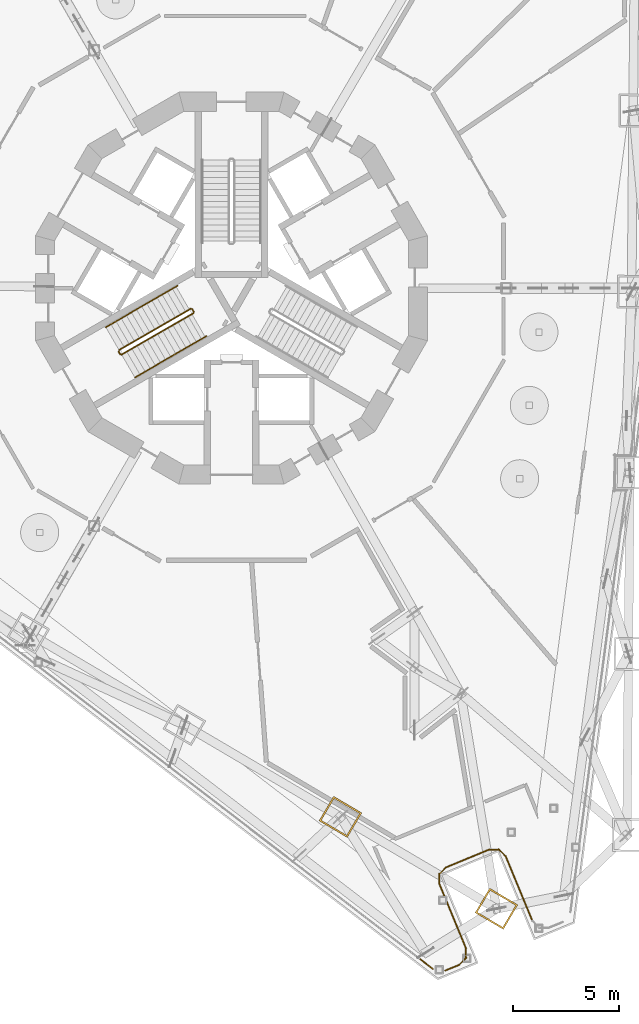
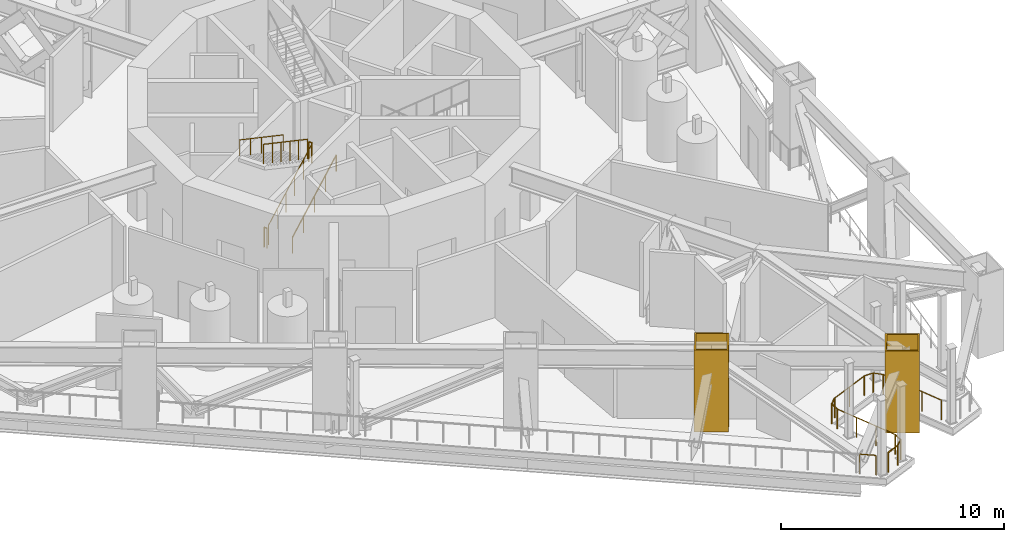
# One storey, part 17 of 23: 19 railings, 2 coverings.
"""IFC4 building model written with IfcOpenShell, lengths in metres."""

from ifc_helpers import new_model, si_unit, direction, frame, origin, origin_2d, place, context, subcontext, project, spatial, polyline, circle, outline, extrude, material, layer, layer_set, type_object, element, save


model = new_model("IFC4")

# Units and contexts
model_context = context("Model", 3, precision=1e-05, world=origin(), true_north=direction((0.0, 1.0)))
body_context = subcontext(model_context, "Body", "Model", "MODEL_VIEW")
ifc_project = project(units=[si_unit("LENGTHUNIT", "METRE"), si_unit("AREAUNIT", "SQUARE_METRE"), si_unit("VOLUMEUNIT", "CUBIC_METRE"), si_unit("PLANEANGLEUNIT", "RADIAN"), si_unit("MASSUNIT", "GRAM", prefix="KILO")], contexts=[model_context])

# Site, building, storey
site_placement = place(None, origin())
site = spatial("IfcSite", under=ifc_project, at=site_placement, CompositionType="ELEMENT")
building_placement = place(site_placement, origin())
building = spatial("IfcBuilding", under=site, at=building_placement, Name="Trine Commons Tower", CompositionType="ELEMENT")
storey_placement = place(building_placement, frame((0.0, 0.0, 156.60009765625)))
storey = spatial("IfcBuildingStorey", under=building, at=storey_placement, Name="L40", CompositionType="ELEMENT", Elevation=156.60009765625)

# Coverings
ifc_material_1 = material(Name="Limestone, honed", Category="masonry")
ifc_layer = layer(ifc_material_1, 0.074951171875)
ifc_layer_set = layer_set([ifc_layer], Name="Limestone, honed")
covering_type = type_object("IfcCoveringType", Name="Limestone column cladding 75", PredefinedType="CLADDING", material=ifc_layer_set)
covering_1_placement = place(storey_placement, origin())
element("IfcCovering", 1, at=covering_1_placement, inside=storey, type_object=covering_type, Name="Limestone pier cladding 5-01", PredefinedType="CLADDING", context=body_context, shape_type="SweptSolid", body=[
    extrude(outline(polyline([(92.21728515625, 34.10791015625), (91.531982421875, 32.94482421875), (92.86767578125, 32.158203125), (93.552978515625, 33.3212890625), (92.21728515625, 34.10791015625)]), holes=[polyline([(92.243896484375, 34.00537109375), (91.634765625, 32.971435546875), (92.841064453125, 32.2607421875), (93.4501953125, 33.294921875), (92.243896484375, 34.00537109375)])]), origin(), (0.0, 0.0, 1.0), 4.5),
])
covering_2_placement = place(storey_placement, origin())
element("IfcCovering", 2, at=covering_2_placement, inside=storey, type_object=covering_type, Name="Limestone pier cladding 5-02", PredefinedType="CLADDING", context=body_context, shape_type="SweptSolid", body=[
    extrude(outline(polyline([(84.83251953125, 38.4580078125), (84.1474609375, 37.294921875), (85.48291015625, 36.50830078125), (86.168212890625, 37.67138671875), (84.83251953125, 38.4580078125)]), holes=[polyline([(84.859130859375, 38.35546875), (84.25, 37.3212890625), (85.456298828125, 36.61083984375), (86.0654296875, 37.644775390625), (84.859130859375, 38.35546875)])]), origin(), (0.0, 0.0, 1.0), 4.5),
])

# Railings
ifc_material_2 = material(Name="Stainless steel rail and posts", Category="steel")
railing_type_1 = type_object("IfcRailingType", Name="Slot edge guard 1100", PredefinedType="GUARDRAIL", material=ifc_material_2)
railing_1_placement = place(storey_placement, frame((94.243896484375, 32.55419921875, 0.0)))
element("IfcRailing", 3, at=railing_1_placement, inside=storey, type_object=railing_type_1, Name="Guard L40-54", PredefinedType="GUARDRAIL", context=body_context, shape_type="SweptSolid", body=[
    extrude(circle(Radius=0.02392578125, at=origin_2d()), frame((0.0, 0.0, 1.076171875), z_axis=(-0.382615762756, 0.923907559278, 0.0), x_axis=(-0.923907559278, -0.382615762756, 0.0)), (0.0, 0.0, 1.0), 3.32177734375),
    extrude(circle(Radius=0.02099609375, at=origin_2d()), origin(), (0.0, 0.0, 1.0), 1.052001953125),
    extrude(circle(Radius=0.02099609375, at=origin_2d()), frame((-0.423583984375, 1.02294921875, 0.0)), (0.0, 0.0, 1.0), 1.052001953125),
    extrude(circle(Radius=0.02099609375, at=origin_2d()), frame((-0.847412109375, 2.046142578125, 0.0)), (0.0, 0.0, 1.0), 1.052001953125),
    extrude(circle(Radius=0.02099609375, at=origin_2d()), frame((-1.27099609375, 3.069091796875, 0.0)), (0.0, 0.0, 1.0), 1.052001953125),
])
railing_2_placement = place(storey_placement, frame((92.984619140625, 35.605224609375, 0.0)))
element("IfcRailing", 4, at=railing_2_placement, inside=storey, type_object=railing_type_1, Name="Guard L40-55", PredefinedType="GUARDRAIL", context=body_context, shape_type="SweptSolid", body=[
    extrude(circle(Radius=0.02392578125, at=origin_2d()), frame((0.0, 0.0, 1.076171875), z_axis=(-0.707106781187, 0.707106781187, 0.0), x_axis=(-0.707106781187, -0.707106781187, 0.0)), (0.0, 0.0, 1.0), 0.491943359375),
    extrude(circle(Radius=0.02099609375, at=origin_2d()), origin(), (0.0, 0.0, 1.0), 1.052001953125),
    extrude(circle(Radius=0.02099609375, at=origin_2d()), frame((-0.347900390625, 0.347900390625, 0.0)), (0.0, 0.0, 1.0), 1.052001953125),
])
railing_3_placement = place(storey_placement, frame((92.67333984375, 35.937744140625, 0.0)))
element("IfcRailing", 5, at=railing_3_placement, inside=storey, type_object=railing_type_1, Name="Guard L40-56", PredefinedType="GUARDRAIL", context=body_context, shape_type="SweptSolid", body=[
    extrude(circle(Radius=0.02392578125, at=origin_2d()), frame((0.0, 0.0, 1.076171875), z_axis=(-1.0, 0.0, 0.0), x_axis=(0.0, -1.0, 0.0)), (0.0, 0.0, 1.0), 0.491455078125),
    extrude(circle(Radius=0.02099609375, at=origin_2d()), origin(), (0.0, 0.0, 1.0), 1.052001953125),
    extrude(circle(Radius=0.02099609375, at=origin_2d()), frame((-0.491455078125, 0.0, 0.0)), (0.0, 0.0, 1.0), 1.052001953125),
])
railing_4_placement = place(storey_placement, frame((92.202880859375, 35.941650390625, 0.0)))
element("IfcRailing", 6, at=railing_4_placement, inside=storey, type_object=railing_type_1, Name="Guard L40-57", PredefinedType="GUARDRAIL", context=body_context, shape_type="SweptSolid", body=[
    extrude(circle(Radius=0.02392578125, at=origin_2d()), frame((0.0, 0.0, 1.076171875), z_axis=(-0.923897602655, -0.382639804265, 0.0), x_axis=(0.382639804265, -0.923897602655, 0.0)), (0.0, 0.0, 1.0), 2.220947265625),
    extrude(circle(Radius=0.02099609375, at=origin_2d()), origin(), (0.0, 0.0, 1.0), 1.052001953125),
    extrude(circle(Radius=0.02099609375, at=origin_2d()), frame((-1.02587890625, -0.4248046875, 0.0)), (0.0, 0.0, 1.0), 1.052001953125),
    extrude(circle(Radius=0.02099609375, at=origin_2d()), frame((-2.052001953125, -0.849853515625, 0.0)), (0.0, 0.0, 1.0), 1.052001953125),
])
railing_5_placement = place(storey_placement, frame((90.168212890625, 35.103271484375, 0.0)))
element("IfcRailing", 7, at=railing_5_placement, inside=storey, type_object=railing_type_1, Name="Guard L40-58", PredefinedType="GUARDRAIL", context=body_context, shape_type="SweptSolid", body=[
    extrude(circle(Radius=0.02392578125, at=origin_2d()), frame((0.0, 0.0, 1.076171875), z_axis=(-0.707355106635, -0.706858368499, 0.0), x_axis=(0.706858368499, -0.707355106635, 0.0)), (0.0, 0.0, 1.0), 0.491455078125),
    extrude(circle(Radius=0.02099609375, at=origin_2d()), origin(), (0.0, 0.0, 1.0), 1.052001953125),
    extrude(circle(Radius=0.02099609375, at=origin_2d()), frame((-0.34765625, -0.347412109375, 0.0)), (0.0, 0.0, 1.0), 1.052001953125),
])
railing_6_placement = place(storey_placement, frame((89.835693359375, 34.79248046875, 0.0)))
element("IfcRailing", 8, at=railing_6_placement, inside=storey, type_object=railing_type_1, Name="Guard L40-59", PredefinedType="GUARDRAIL", context=body_context, shape_type="SweptSolid", body=[
    extrude(circle(Radius=0.02392578125, at=origin_2d()), frame((0.0, 0.0, 1.076171875), z_axis=(0.0, -1.0, 0.0), x_axis=(1.0, 0.0, 0.0)), (0.0, 0.0, 1.0), 0.491455078125),
    extrude(circle(Radius=0.02099609375, at=origin_2d()), origin(), (0.0, 0.0, 1.0), 1.052001953125),
    extrude(circle(Radius=0.02099609375, at=origin_2d()), frame((0.0, -0.491455078125, 0.0)), (0.0, 0.0, 1.0), 1.052001953125),
])
railing_7_placement = place(storey_placement, frame((89.83154296875, 34.322021484375, 0.0)))
element("IfcRailing", 9, at=railing_7_placement, inside=storey, type_object=railing_type_1, Name="Guard L40-60", PredefinedType="GUARDRAIL", context=body_context, shape_type="SweptSolid", body=[
    extrude(circle(Radius=0.02392578125, at=origin_2d()), frame((0.0, 0.0, 1.076171875), z_axis=(0.382678495952, -0.923881577225, 0.0), x_axis=(0.923881577225, 0.382678495952, 0.0)), (0.0, 0.0, 1.0), 3.322021484375),
    extrude(circle(Radius=0.02099609375, at=origin_2d()), origin(), (0.0, 0.0, 1.0), 1.052001953125),
    extrude(circle(Radius=0.02099609375, at=origin_2d()), frame((0.423828125, -1.02294921875, 0.0)), (0.0, 0.0, 1.0), 1.052001953125),
    extrude(circle(Radius=0.02099609375, at=origin_2d()), frame((0.847412109375, -2.046142578125, 0.0)), (0.0, 0.0, 1.0), 1.052001953125),
    extrude(circle(Radius=0.02099609375, at=origin_2d()), frame((1.271240234375, -3.069091796875, 0.0)), (0.0, 0.0, 1.0), 1.052001953125),
])
railing_8_placement = place(storey_placement, frame((91.0986328125, 31.2734375, 0.0)))
element("IfcRailing", 10, at=railing_8_placement, inside=storey, type_object=railing_type_1, Name="Guard L40-61", PredefinedType="GUARDRAIL", context=body_context, shape_type="SweptSolid", body=[
    extrude(circle(Radius=0.02392578125, at=origin_2d()), frame((0.0, 0.0, 1.076171875), z_axis=(0.0, -1.0, 0.0), x_axis=(1.0, 0.0, 0.0)), (0.0, 0.0, 1.0), 0.491455078125),
    extrude(circle(Radius=0.02099609375, at=origin_2d()), origin(), (0.0, 0.0, 1.0), 1.052001953125),
    extrude(circle(Radius=0.02099609375, at=origin_2d()), frame((0.0, -0.491455078125, 0.0)), (0.0, 0.0, 1.0), 1.052001953125),
])
railing_9_placement = place(storey_placement, frame((91.11376953125, 30.81884765625, 0.0)))
element("IfcRailing", 11, at=railing_9_placement, inside=storey, type_object=railing_type_1, Name="Guard L40-62", PredefinedType="GUARDRAIL", context=body_context, shape_type="SweptSolid", body=[
    extrude(circle(Radius=0.02392578125, at=origin_2d()), frame((0.0, 0.0, 1.076171875), z_axis=(-0.707106781187, -0.707106781187, 0.0), x_axis=(0.707106781187, -0.707106781187, 0.0)), (0.0, 0.0, 1.0), 0.49169921875),
    extrude(circle(Radius=0.02099609375, at=origin_2d()), origin(), (0.0, 0.0, 1.0), 1.052001953125),
    extrude(circle(Radius=0.02099609375, at=origin_2d()), frame((-0.34765625, -0.34765625, 0.0)), (0.0, 0.0, 1.0), 1.052001953125),
])
railing_10_placement = place(storey_placement, frame((90.78369140625, 30.483154296875, 0.0)))
element("IfcRailing", 12, at=railing_10_placement, inside=storey, type_object=railing_type_1, Name="Guard L40-63", PredefinedType="GUARDRAIL", context=body_context, shape_type="SweptSolid", body=[
    extrude(circle(Radius=0.02392578125, at=origin_2d()), frame((0.0, 0.0, 1.076171875), z_axis=(-0.92394664618, -0.382521365433, 0.0), x_axis=(0.382521365433, -0.92394664618, 0.0)), (0.0, 0.0, 1.0), 0.720458984375),
    extrude(circle(Radius=0.02099609375, at=origin_2d()), origin(), (0.0, 0.0, 1.0), 1.052001953125),
    extrude(circle(Radius=0.02099609375, at=origin_2d()), frame((-0.665771484375, -0.275634765625, 0.0)), (0.0, 0.0, 1.0), 1.052001953125),
])
railing_11_placement = place(storey_placement, frame((89.535888671875, 30.284423828125, 0.0)))
element("IfcRailing", 13, at=railing_11_placement, inside=storey, type_object=railing_type_1, Name="Guard L40-66", PredefinedType="GUARDRAIL", context=body_context, shape_type="SweptSolid", body=[
    extrude(circle(Radius=0.02392578125, at=origin_2d()), frame((0.0, 0.0, 1.076171875), z_axis=(-0.793353438114, 0.608761301523, 0.0), x_axis=(-0.608761301523, -0.793353438114, 0.0)), (0.0, 0.0, 1.0), 0.745849609375),
    extrude(circle(Radius=0.02099609375, at=origin_2d()), origin(), (0.0, 0.0, 1.0), 1.052001953125),
    extrude(circle(Radius=0.02099609375, at=origin_2d()), frame((-0.591796875, 0.4541015625, 0.0)), (0.0, 0.0, 1.0), 1.052001953125),
])
ifc_material_3 = material(Name="Stainless steel balustrade", Category="steel")
railing_type_2 = type_object("IfcRailingType", Name="Stair guard, steel balustrade 1100", PredefinedType="GUARDRAIL", material=ifc_material_3)
railing_12_placement = place(storey_placement, frame((74.80517578125, 59.3564453125, 0.14990234375)))
element("IfcRailing", 14, at=railing_12_placement, inside=storey, type_object=railing_type_2, Name="L40 ST2B stair guard 1", PredefinedType="GUARDRAIL", context=body_context, shape_type="SweptSolid", body=[
    extrude(circle(Radius=0.02392578125, at=origin_2d()), frame((0.0, 0.0, 1.076171875), z_axis=(0.763374939589, 0.440731680332, 0.472243885677), x_axis=(-0.499997407846, 0.86602690036, 0.0)), (0.0, 0.0, 1.0), 4.447021484375),
    extrude(circle(Radius=0.02099609375, at=origin_2d()), origin(), (0.0, 0.0, 1.0), 1.052001953125),
    extrude(circle(Radius=0.02099609375, at=origin_2d()), frame((0.678955078125, 0.39208984375, 0.419921875)), (0.0, 0.0, 1.0), 1.052001953125),
    extrude(circle(Radius=0.02099609375, at=origin_2d()), frame((1.35791015625, 0.783935546875, 0.840087890625)), (0.0, 0.0, 1.0), 1.052001953125),
    extrude(circle(Radius=0.02099609375, at=origin_2d()), frame((2.036865234375, 1.176025390625, 1.260009765625)), (0.0, 0.0, 1.0), 1.052001953125),
    extrude(circle(Radius=0.02099609375, at=origin_2d()), frame((2.7158203125, 1.56787109375, 1.68017578125)), (0.0, 0.0, 1.0), 1.052001953125),
    extrude(circle(Radius=0.02099609375, at=origin_2d()), frame((3.394775390625, 1.9599609375, 2.10009765625)), (0.0, 0.0, 1.0), 1.052001953125),
])
railing_13_placement = place(storey_placement, frame((78.21826171875, 61.384765625, 2.25)))
element("IfcRailing", 15, at=railing_13_placement, inside=storey, type_object=railing_type_2, Name="L40 ST2B stair guard 2", PredefinedType="GUARDRAIL", context=body_context, shape_type="SweptSolid", body=[
    extrude(circle(Radius=0.02392578125, at=origin_2d()), frame((0.0, 0.0, 1.076171875), z_axis=(-0.499816412211, 0.866131372301, 0.0), x_axis=(-0.866131372301, -0.499816412211, 0.0)), (0.0, 0.0, 1.0), 0.14990234375),
    extrude(circle(Radius=0.02099609375, at=origin_2d()), origin(), (0.0, 0.0, 1.0), 1.052001953125),
    extrude(circle(Radius=0.02099609375, at=origin_2d()), frame((-0.074951171875, 0.1298828125, 0.0)), (0.0, 0.0, 1.0), 1.052001953125),
])
railing_14_placement = place(storey_placement, frame((78.074951171875, 61.532958984375, 2.39990234375)))
element("IfcRailing", 16, at=railing_14_placement, inside=storey, type_object=railing_type_2, Name="L40 ST2B stair guard 3", PredefinedType="GUARDRAIL", context=body_context, shape_type="SweptSolid", body=[
    extrude(circle(Radius=0.02392578125, at=origin_2d()), frame((0.0, 0.0, 1.076171875), z_axis=(-0.763374939589, -0.440731680332, 0.472243885677), x_axis=(0.499997407846, -0.86602690036, 0.0)), (0.0, 0.0, 1.0), 4.447021484375),
    extrude(circle(Radius=0.02099609375, at=origin_2d()), origin(), (0.0, 0.0, 1.0), 1.052001953125),
    extrude(circle(Radius=0.02099609375, at=origin_2d()), frame((-0.678955078125, -0.39208984375, 0.419921875)), (0.0, 0.0, 1.0), 1.052001953125),
    extrude(circle(Radius=0.02099609375, at=origin_2d()), frame((-1.35791015625, -0.783935546875, 0.840087890625)), (0.0, 0.0, 1.0), 1.052001953125),
    extrude(circle(Radius=0.02099609375, at=origin_2d()), frame((-2.036865234375, -1.176025390625, 1.260009765625)), (0.0, 0.0, 1.0), 1.052001953125),
    extrude(circle(Radius=0.02099609375, at=origin_2d()), frame((-2.7158203125, -1.56787109375, 1.68017578125)), (0.0, 0.0, 1.0), 1.052001953125),
    extrude(circle(Radius=0.02099609375, at=origin_2d()), frame((-3.394775390625, -1.9599609375, 2.10009765625)), (0.0, 0.0, 1.0), 1.052001953125),
])
railing_15_placement = place(storey_placement, frame((74.73681640625, 59.374755859375, 0.0)))
element("IfcRailing", 17, at=railing_15_placement, inside=storey, type_object=railing_type_2, Name="L40 ST2B stair guard 4", PredefinedType="GUARDRAIL", context=body_context, shape_type="SweptSolid", body=[
    extrude(circle(Radius=0.02392578125, at=origin_2d()), frame((0.0, 0.0, 1.076171875), z_axis=(-0.499816412211, 0.866131372301, 0.0), x_axis=(-0.866131372301, -0.499816412211, 0.0)), (0.0, 0.0, 1.0), 0.14990234375),
    extrude(circle(Radius=0.02099609375, at=origin_2d()), origin(), (0.0, 0.0, 1.0), 1.052001953125),
    extrude(circle(Radius=0.02099609375, at=origin_2d()), frame((-0.074951171875, 0.1298828125, 0.0)), (0.0, 0.0, 1.0), 1.052001953125),
])
ifc_material_4 = material(Name="Stainless steel handrail", Category="steel")
railing_type_3 = type_object("IfcRailingType", Name="Stair handrail, steel 900", PredefinedType="HANDRAIL", material=ifc_material_4)
railing_16_placement = place(storey_placement, frame((75.43017578125, 58.27392578125, 0.14990234375)))
element("IfcRailing", 18, at=railing_16_placement, inside=storey, type_object=railing_type_3, Name="L40 ST2B stair handrail 1", PredefinedType="HANDRAIL", context=body_context, shape_type="SweptSolid", body=[
    extrude(circle(Radius=0.02099609375, at=origin_2d()), frame((0.0, 0.0, 0.87890625), z_axis=(0.763397845365, 0.440713210311, 0.472224095054), x_axis=(-0.499970440388, 0.866042469362, 0.0)), (0.0, 0.0, 1.0), 2.2236328125),
    extrude(circle(Radius=0.01513671875, at=origin_2d()), origin(), (0.0, 0.0, 1.0), 0.85791015625),
    extrude(circle(Radius=0.01513671875, at=origin_2d()), frame((0.8486328125, 0.489990234375, 0.52490234375)), (0.0, 0.0, 1.0), 0.85791015625),
    extrude(circle(Radius=0.01513671875, at=origin_2d()), frame((1.697509765625, 0.97998046875, 1.050048828125)), (0.0, 0.0, 1.0), 0.85791015625),
])
railing_17_placement = place(storey_placement, frame((77.127685546875, 59.25390625, 1.199951171875)))
element("IfcRailing", 19, at=railing_17_placement, inside=storey, type_object=railing_type_3, Name="L40 ST2B stair handrail 2", PredefinedType="HANDRAIL", context=body_context, shape_type="SweptSolid", body=[
    extrude(circle(Radius=0.02099609375, at=origin_2d()), frame((0.0, 0.0, 0.87890625), z_axis=(0.763352030933, 0.440750151347, 0.472263677365), x_axis=(-0.500024377727, 0.866011328839, 0.0)), (0.0, 0.0, 1.0), 2.223388671875),
    extrude(circle(Radius=0.01513671875, at=origin_2d()), origin(), (0.0, 0.0, 1.0), 0.85791015625),
    extrude(circle(Radius=0.01513671875, at=origin_2d()), frame((0.8486328125, 0.489990234375, 0.52490234375)), (0.0, 0.0, 1.0), 0.85791015625),
    extrude(circle(Radius=0.01513671875, at=origin_2d()), frame((1.697265625, 0.97998046875, 1.050048828125)), (0.0, 0.0, 1.0), 0.85791015625),
])
railing_18_placement = place(storey_placement, frame((77.449951171875, 62.615478515625, 2.39990234375)))
element("IfcRailing", 20, at=railing_18_placement, inside=storey, type_object=railing_type_3, Name="L40 ST2B stair handrail 3", PredefinedType="HANDRAIL", context=body_context, shape_type="SweptSolid", body=[
    extrude(circle(Radius=0.02099609375, at=origin_2d()), frame((0.0, 0.0, 0.87890625), z_axis=(-0.763352030933, -0.440750151347, 0.472263677365), x_axis=(0.500024377727, -0.866011328839, 0.0)), (0.0, 0.0, 1.0), 2.223388671875),
    extrude(circle(Radius=0.01513671875, at=origin_2d()), origin(), (0.0, 0.0, 1.0), 0.85791015625),
    extrude(circle(Radius=0.01513671875, at=origin_2d()), frame((-0.8486328125, -0.489990234375, 0.52490234375)), (0.0, 0.0, 1.0), 0.85791015625),
    extrude(circle(Radius=0.01513671875, at=origin_2d()), frame((-1.697265625, -0.97998046875, 1.050048828125)), (0.0, 0.0, 1.0), 0.85791015625),
])
railing_19_placement = place(storey_placement, frame((75.752685546875, 61.635498046875, 3.449951171875)))
element("IfcRailing", 21, at=railing_19_placement, inside=storey, type_object=railing_type_3, Name="L40 ST2B stair handrail 4", PredefinedType="HANDRAIL", context=body_context, shape_type="SweptSolid", body=[
    extrude(circle(Radius=0.02099609375, at=origin_2d()), frame((0.0, 0.0, 0.87890625), z_axis=(-0.763397845365, -0.440713210311, 0.472224095054), x_axis=(0.499970440388, -0.866042469362, 0.0)), (0.0, 0.0, 1.0), 2.2236328125),
    extrude(circle(Radius=0.01513671875, at=origin_2d()), origin(), (0.0, 0.0, 1.0), 0.85791015625),
    extrude(circle(Radius=0.01513671875, at=origin_2d()), frame((-0.8486328125, -0.489990234375, 0.52490234375)), (0.0, 0.0, 1.0), 0.85791015625),
    extrude(circle(Radius=0.01513671875, at=origin_2d()), frame((-1.697509765625, -0.97998046875, 1.050048828125)), (0.0, 0.0, 1.0), 0.85791015625),
])

save(model, "model.ifc")
